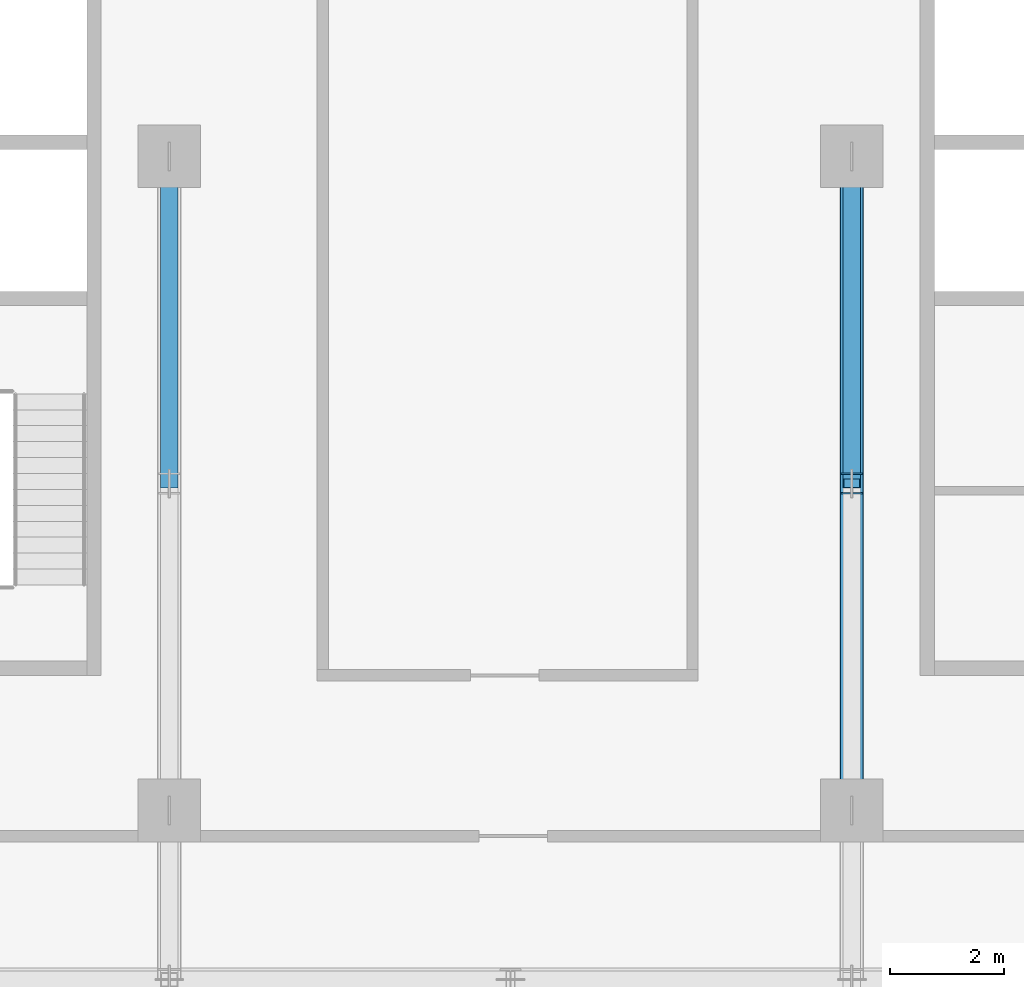
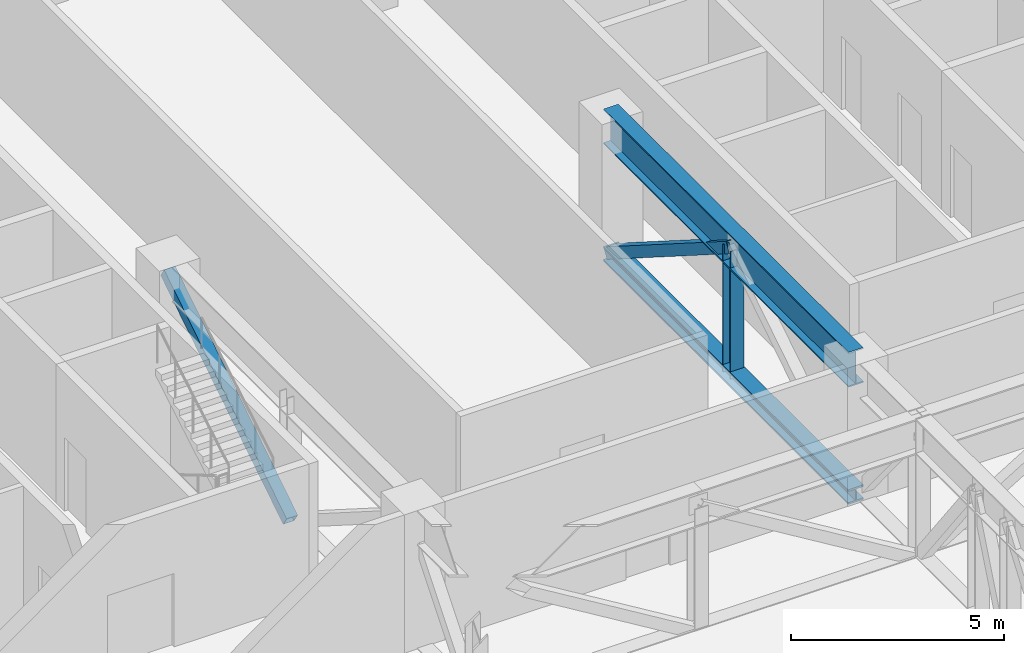
# One storey, part 7 of 28: 5 members.
"""IFC4 building model written with IfcOpenShell, lengths in metres."""

from ifc_helpers import new_model, si_unit, direction, frame, origin, origin_2d, place, context, subcontext, project, spatial, hollow_rectangle, i_section, extrude, material, material_profile, profile_set, type_object, element, save


model = new_model("IFC4")

# Units and contexts
model_context = context("Model", 3, precision=1e-05, world=origin(), true_north=direction((0.0, 1.0)))
body_context = subcontext(model_context, "Body", "Model", "MODEL_VIEW")
ifc_project = project(units=[si_unit("LENGTHUNIT", "METRE"), si_unit("AREAUNIT", "SQUARE_METRE"), si_unit("VOLUMEUNIT", "CUBIC_METRE"), si_unit("PLANEANGLEUNIT", "RADIAN"), si_unit("MASSUNIT", "GRAM", prefix="KILO")], contexts=[model_context])

# Site, building, storey
site_placement = place(None, origin())
site = spatial("IfcSite", under=ifc_project, at=site_placement, CompositionType="ELEMENT")
building_placement = place(site_placement, origin())
building = spatial("IfcBuilding", under=site, at=building_placement, Name="Mahtab Terrace Research Tower", CompositionType="ELEMENT")
storey_placement = place(building_placement, frame((0.0, 0.0, 224.300048828125)))
storey = spatial("IfcBuildingStorey", under=building, at=storey_placement, Name="L54", CompositionType="ELEMENT", Elevation=224.300048828125)

# Members
ifc_material_1 = material(Name="Steel ASTM A500 Gr C", Category="steel")
ifc_material_profile_1 = material_profile(ifc_material_1, hollow_rectangle(XDim=0.3046875, YDim=0.3046875, WallThickness=0.0126953125, at=origin_2d()), Name="HSS12X12X1/2")
ifc_profile_set_1 = profile_set([ifc_material_profile_1], Name="Steel ASTM A500 Gr C")
member_type_1 = type_object("IfcMemberType", Name="HSS 12x12x1/2 brace TD121212", PredefinedType="BRACE", material=ifc_profile_set_1)
for number, where, z_axis, x_axis, name in (
    (1, (6.0, -5.75, -0.18798828125), (0.0, 0.844434215401, 0.535659272168), (-1.0, 0.0, 0.0), "Transfer truss T6 diagonal 079"),
    (2, (18.0, 0.0, -0.18798828125), (0.0, -0.844434215401, 0.535659272168), (1.0, 0.0, 0.0), "Transfer truss T6 diagonal 098"),
):
    element("IfcMember", number, at=place(storey_placement, frame(where, z_axis=z_axis, x_axis=x_axis)), inside=storey, type_object=member_type_1, Name=name, PredefinedType="BRACE", context=body_context, shape_type="SweptSolid", body=[
        extrude(hollow_rectangle(XDim=0.3046875, YDim=0.3046875, WallThickness=0.0126953125, at=origin_2d()), origin(), (0.0, 0.0, 1.0), 6.809326171875),
    ])
ifc_material_2 = material(Name="Steel ASTM A992 Gr 50", Category="steel")
ifc_material_profile_2 = material_profile(ifc_material_2, i_section(OverallWidth=0.373291015625, OverallDepth=0.373291015625, WebThickness=0.016357421875, FlangeThickness=0.026123046875, at=origin_2d()), Name="W14X132")
ifc_profile_set_2 = profile_set([ifc_material_profile_2], Name="Steel ASTM A992 Gr 50")
member_type_2 = type_object("IfcMemberType", Name="W14x132 post TP14132", PredefinedType="POST", material=ifc_profile_set_2)
member_1_placement = place(storey_placement, frame((18.0, -5.75, -0.18798828125), z_axis=(0.0, 0.0, 1.0), x_axis=(1.0, 0.0, 0.0)))
element("IfcMember", 3, at=member_1_placement, inside=storey, type_object=member_type_2, Name="Transfer truss T6 post 087", PredefinedType="POST", context=body_context, shape_type="SweptSolid", body=[
    extrude(i_section(OverallWidth=0.373291015625, OverallDepth=0.373291015625, WebThickness=0.016357421875, FlangeThickness=0.026123046875, at=origin_2d()), origin(), (0.0, 0.0, 1.0), 3.6474609375),
])
ifc_material_profile_3 = material_profile(ifc_material_2, i_section(OverallWidth=0.408935546875, OverallDepth=0.42431640625, WebThickness=0.03271484375, FlangeThickness=0.052490234375, at=origin_2d()), Name="W14X283")
ifc_profile_set_3 = profile_set([ifc_material_profile_3], Name="Steel ASTM A992 Gr 50")
member_type_3 = type_object("IfcMemberType", Name="W14x283 chord TC14283", PredefinedType="CHORD", material=ifc_profile_set_3)
member_2_placement = place(storey_placement, frame((18.0, -11.5, -0.18798828125), z_axis=(0.0, 1.0, 0.0), x_axis=(-1.0, 0.0, 0.0)))
element("IfcMember", 4, at=member_2_placement, inside=storey, type_object=member_type_3, Name="Transfer truss T6 bottom chord 056", PredefinedType="CHORD", context=body_context, shape_type="SweptSolid", body=[
    extrude(i_section(OverallWidth=0.408935546875, OverallDepth=0.42431640625, WebThickness=0.03271484375, FlangeThickness=0.052490234375, at=origin_2d()), origin(), (0.0, 0.0, 1.0), 11.5),
])
ifc_material_profile_4 = material_profile(ifc_material_2, i_section(OverallWidth=0.4013671875, OverallDepth=1.000732421875, WebThickness=0.01904296875, FlangeThickness=0.0361328125, at=origin_2d()), Name="W40X249")
ifc_profile_set_4 = profile_set([ifc_material_profile_4], Name="Steel ASTM A992 Gr 50")
member_type_4 = type_object("IfcMemberType", Name="W40x249 chord TT40249", PredefinedType="CHORD", material=ifc_profile_set_4)
member_3_placement = place(storey_placement, frame((18.0, -11.5, 3.45947265625), z_axis=(0.0, 1.0, 0.0), x_axis=(-1.0, 0.0, 0.0)))
element("IfcMember", 5, at=member_3_placement, inside=storey, type_object=member_type_4, Name="Transfer truss T6 top chord 079", PredefinedType="CHORD", context=body_context, shape_type="SweptSolid", body=[
    extrude(i_section(OverallWidth=0.4013671875, OverallDepth=1.000732421875, WebThickness=0.01904296875, FlangeThickness=0.0361328125, at=origin_2d()), origin(), (0.0, 0.0, 1.0), 11.5),
])

save(model, "model.ifc")
